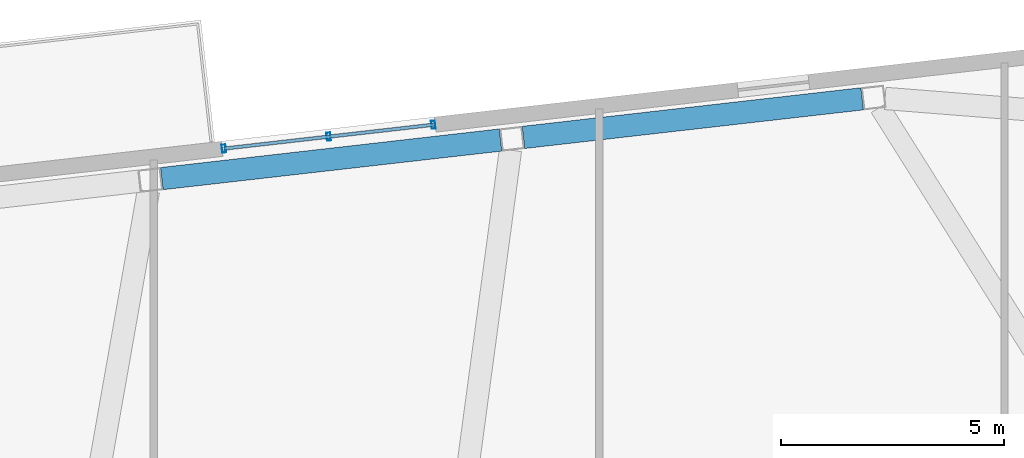
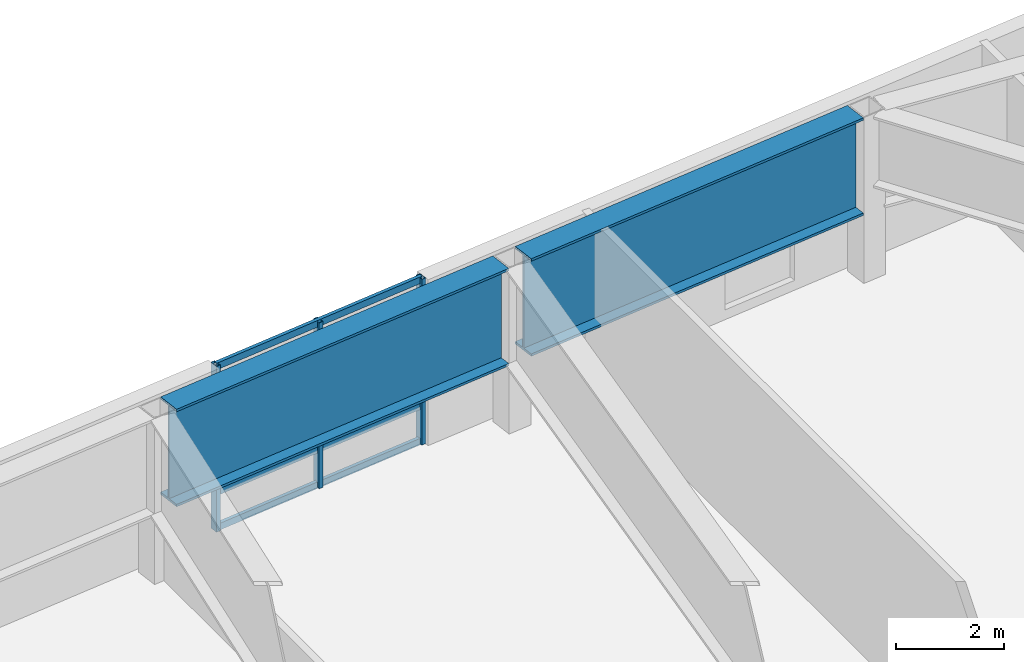
# One storey, part 10 of 20: 6 members, 2 beams, 1 element without a shape of its own.
"""IFC4 building model written with IfcOpenShell, lengths in metres."""

from ifc_helpers import new_model, si_unit, direction, frame, origin, origin_2d, place, context, subcontext, project, spatial, hollow_rectangle, i_section, extrude, material, layer, layer_set, material_profile, profile_set, type_object, element, aggregate, save


model = new_model("IFC4")

# Units and contexts
model_context = context("Model", 3, precision=1e-05, world=origin(), true_north=direction((0.0, 1.0)))
body_context = subcontext(model_context, "Body", "Model", "MODEL_VIEW")
ifc_project = project(units=[si_unit("LENGTHUNIT", "METRE"), si_unit("AREAUNIT", "SQUARE_METRE"), si_unit("VOLUMEUNIT", "CUBIC_METRE"), si_unit("PLANEANGLEUNIT", "RADIAN"), si_unit("MASSUNIT", "GRAM", prefix="KILO")], contexts=[model_context])

# Site, building, storey
site_placement = place(None, origin())
site = spatial("IfcSite", under=ifc_project, at=site_placement, CompositionType="ELEMENT")
building_placement = place(site_placement, origin())
building = spatial("IfcBuilding", under=site, at=building_placement, Name="Tavrogorsk Clinical Tower", CompositionType="ELEMENT")
storey_placement = place(building_placement, frame((0.0, 0.0, 214.199951171875)))
storey = spatial("IfcBuildingStorey", under=building, at=storey_placement, Name="L49", CompositionType="ELEMENT", Elevation=214.199951171875)

# Curtain wall, members
ifc_material_1 = material(Name="Anodised aluminium and triple IGU glazing", Category="aluminium")
ifc_layer = layer(ifc_material_1, 0.179931640625)
ifc_layer_set = layer_set([ifc_layer], Name="Anodised aluminium and triple IGU glazing")
curtain_wall_type = type_object("IfcCurtainWallType", Name="CW2_NorthSlot", PredefinedType="NOTDEFINED", material=ifc_layer_set)
curtain_wall_placement = place(storey_placement, origin())
curtain_wall = element("IfcCurtainWall", 1, at=curtain_wall_placement, inside=storey, type_object=curtain_wall_type, Name="L49 Curtain Wall CW-L49-N-SLOT-2", PredefinedType="NOTDEFINED")
ifc_material_2 = material(Name="Anodised aluminium alloy AW-6060", Category="aluminium")
ifc_material_profile_1 = material_profile(ifc_material_2, hollow_rectangle(XDim=0.090087890625, YDim=0.179931640625, WallThickness=0.00634765625, at=origin_2d()), Name="RHS-180x90x6.3")
ifc_profile_set_1 = profile_set([ifc_material_profile_1], Name="Anodised aluminium alloy AW-6060")
member_type_1 = type_object("IfcMemberType", Name="CwMullion_180x90", PredefinedType="MULLION", material=ifc_profile_set_1)
member_1_placement = place(storey_placement, frame((5.410400390625, 27.270263671875, 0.0), z_axis=(0.0, 0.0, 1.0), x_axis=(-0.993571855603, -0.11320321441, 0.0)))
member_1 = element("IfcMember", 2, at=member_1_placement, type_object=member_type_1, Name="CW-L49-N-SLOT-2 Mullion 1", PredefinedType="MULLION", context=body_context, shape_type="SweptSolid", body=[
    extrude(hollow_rectangle(XDim=0.090087890625, YDim=0.179931640625, WallThickness=0.00634765625, at=origin_2d()), origin(), (0.0, 0.0, 1.0), 3.739990234375),
])
member_2_placement = place(storey_placement, frame((3.06640625, 27.003173828125, 0.0), z_axis=(0.0, 0.0, 1.0), x_axis=(-0.993571855603, -0.11320321441, 0.0)))
member_2 = element("IfcMember", 3, at=member_2_placement, type_object=member_type_1, Name="CW-L49-N-SLOT-2 Mullion 2", PredefinedType="MULLION", context=body_context, shape_type="SweptSolid", body=[
    extrude(hollow_rectangle(XDim=0.090087890625, YDim=0.179931640625, WallThickness=0.00634765625, at=origin_2d()), origin(), (0.0, 0.0, 1.0), 3.739990234375),
])
member_3_placement = place(storey_placement, frame((0.72265625, 26.736083984375, 0.0), z_axis=(0.0, 0.0, 1.0), x_axis=(-0.993571855603, -0.11320321441, 0.0)))
member_3 = element("IfcMember", 4, at=member_3_placement, type_object=member_type_1, Name="CW-L49-N-SLOT-2 Mullion 3", PredefinedType="MULLION", context=body_context, shape_type="SweptSolid", body=[
    extrude(hollow_rectangle(XDim=0.090087890625, YDim=0.179931640625, WallThickness=0.00634765625, at=origin_2d()), origin(), (0.0, 0.0, 1.0), 3.739990234375),
])
ifc_material_3 = material(Name="Anodised aluminium alloy AW-6060", Category="aluminium")
ifc_material_profile_2 = material_profile(ifc_material_3, hollow_rectangle(XDim=0.074951171875, YDim=0.14990234375, WallThickness=0.0048828125, at=origin_2d()), Name="RHS-150x75x5")
ifc_profile_set_2 = profile_set([ifc_material_profile_2], Name="Anodised aluminium alloy AW-6060")
member_type_2 = type_object("IfcMemberType", Name="CwTransom_150x75", PredefinedType="USERDEFINED", material=ifc_profile_set_2)
member_4_placement = place(storey_placement, frame((5.410400390625, 27.270263671875, 0.050048828125), z_axis=(-0.993569979218, -0.113219682023, 0.0), x_axis=(0.113219682023, -0.993569979218, 0.0)))
member_4 = element("IfcMember", 5, at=member_4_placement, type_object=member_type_2, Name="CW-L49-N-SLOT-2 Transom 1", ObjectType="TRANSOM", PredefinedType="USERDEFINED", context=body_context, shape_type="SweptSolid", body=[
    extrude(hollow_rectangle(XDim=0.074951171875, YDim=0.14990234375, WallThickness=0.0048828125, at=origin_2d()), origin(), (0.0, 0.0, 1.0), 4.718017578125),
])
member_5_placement = place(storey_placement, frame((5.410400390625, 27.270263671875, 0.85009765625), z_axis=(-0.993569979218, -0.113219682023, 0.0), x_axis=(0.113219682023, -0.993569979218, 0.0)))
member_5 = element("IfcMember", 6, at=member_5_placement, type_object=member_type_2, Name="CW-L49-N-SLOT-2 Transom 2", ObjectType="TRANSOM", PredefinedType="USERDEFINED", context=body_context, shape_type="SweptSolid", body=[
    extrude(hollow_rectangle(XDim=0.074951171875, YDim=0.14990234375, WallThickness=0.0048828125, at=origin_2d()), origin(), (0.0, 0.0, 1.0), 4.718017578125),
])
member_6_placement = place(storey_placement, frame((5.410400390625, 27.270263671875, 3.68994140625), z_axis=(-0.993569979218, -0.113219682023, 0.0), x_axis=(0.113219682023, -0.993569979218, 0.0)))
member_6 = element("IfcMember", 7, at=member_6_placement, type_object=member_type_2, Name="CW-L49-N-SLOT-2 Transom 3", ObjectType="TRANSOM", PredefinedType="USERDEFINED", context=body_context, shape_type="SweptSolid", body=[
    extrude(hollow_rectangle(XDim=0.074951171875, YDim=0.14990234375, WallThickness=0.0048828125, at=origin_2d()), origin(), (0.0, 0.0, 1.0), 4.718017578125),
])
aggregate(curtain_wall, [member_1, member_2, member_3, member_4, member_5, member_6])

# Beams
ifc_material_4 = material(Name="Structural steel S440", Category="steel")
ifc_material_profile_3 = material_profile(ifc_material_4, i_section(OverallWidth=0.5, OverallDepth=2.199951171875, WebThickness=0.035888671875, FlangeThickness=0.054931640625, at=origin_2d()), Name="DK-2200x500x36x55")
ifc_profile_set_3 = profile_set([ifc_material_profile_3], Name="Structural steel S440")
beam_type = type_object("IfcBeamType", Name="TransferGirder_DK2200", PredefinedType="USERDEFINED", material=ifc_profile_set_3)
for number, where, z_axis, x_axis, name in (
    (8, (15.01220703125, 27.850830078125, 2.64013671875), (-0.993572099834, -0.113201070804, 0.0), (0.113201070804, -0.993572099834, 0.0), "L49 Perimeter Spandrel N2-N3"),
    (9, (6.916015625, 26.928466796875, 2.64013671875), (-0.993572099834, -0.113201070804, 0.0), (0.113201070804, -0.993572099834, 0.0), "L49 Perimeter Spandrel N3-N4"),
):
    element("IfcBeam", number, at=place(storey_placement, frame(where, z_axis=z_axis, x_axis=x_axis)), inside=storey, type_object=beam_type, Name=name, ObjectType="GIRDER", PredefinedType="USERDEFINED", context=body_context, shape_type="SweptSolid", body=[
        extrude(i_section(OverallWidth=0.5, OverallDepth=2.199951171875, WebThickness=0.035888671875, FlangeThickness=0.054931640625, at=origin_2d()), origin(), (0.0, 0.0, 1.0), 7.632568359375),
    ])

save(model, "model.ifc")
